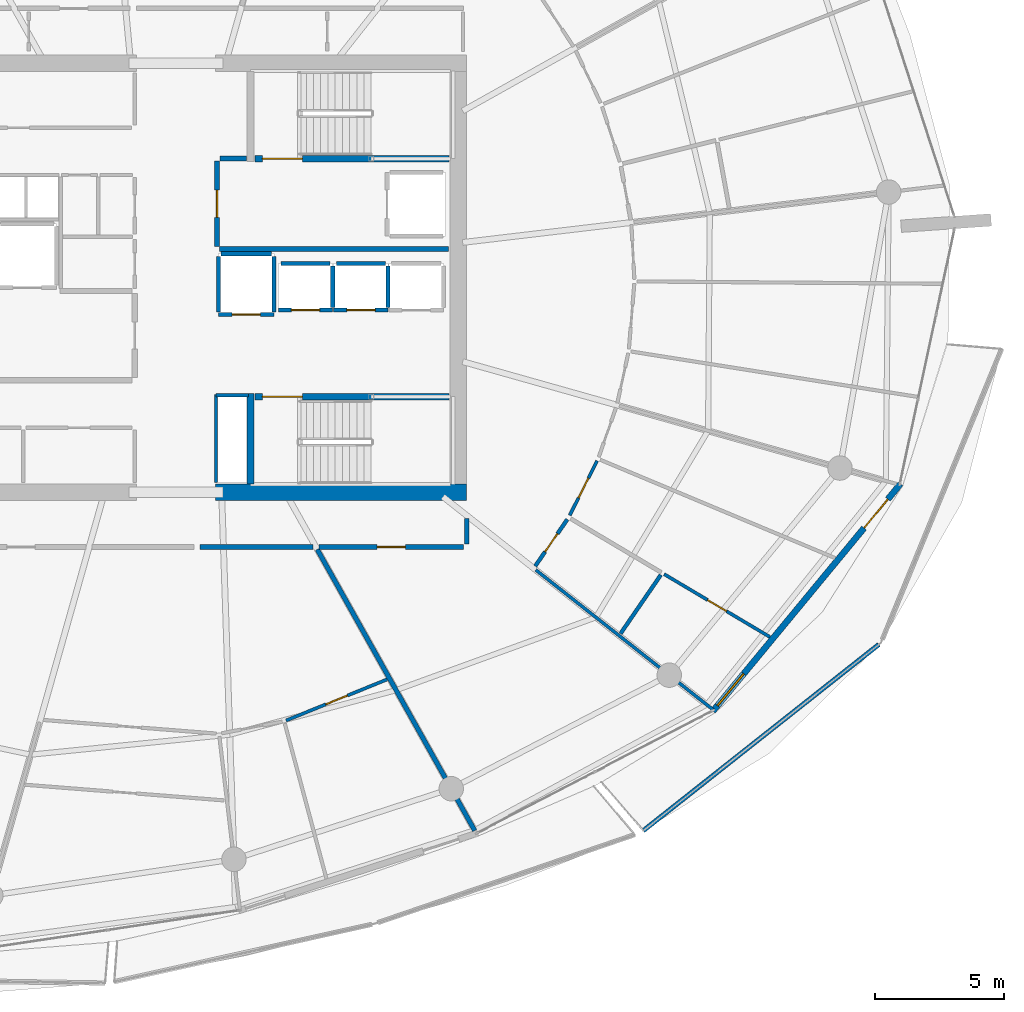
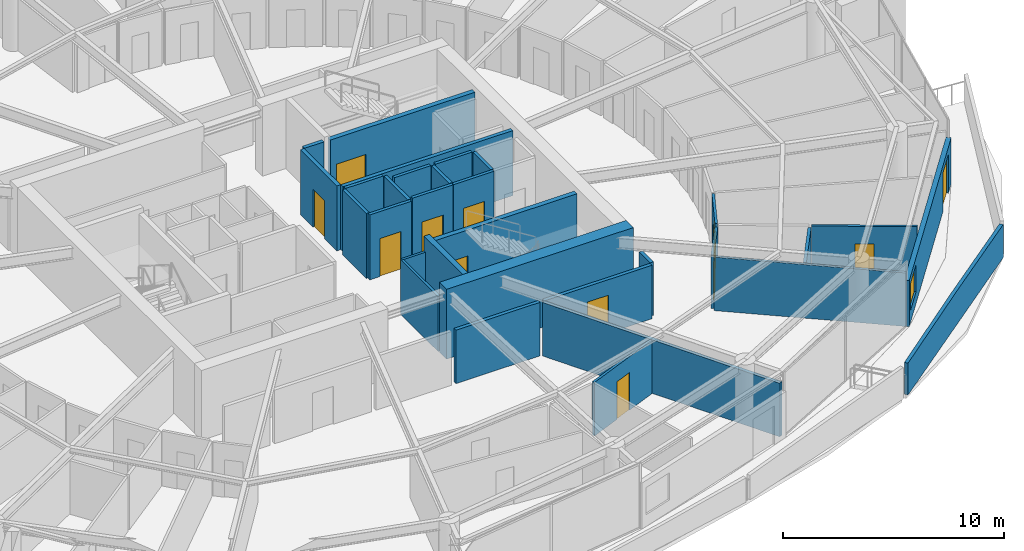
# One storey, part 19 of 29: 31 walls, 12 doors, 1 window, 13 openings.
"""IFC4 building model written with IfcOpenShell, lengths in metres."""

from ifc_helpers import new_model, si_unit, direction, frame, frame_2d, origin, place, context, subcontext, project, spatial, polyline, rectangle, outline, extrude, material, layer, layer_set, type_object, element, fill, save


model = new_model("IFC4")

# Units and contexts
model_context = context("Model", 3, precision=1e-05, world=origin(), true_north=direction((0.0, 1.0)))
body_context = subcontext(model_context, "Body", "Model", "MODEL_VIEW")
ifc_project = project(units=[si_unit("LENGTHUNIT", "METRE"), si_unit("AREAUNIT", "SQUARE_METRE"), si_unit("VOLUMEUNIT", "CUBIC_METRE"), si_unit("PLANEANGLEUNIT", "RADIAN"), si_unit("MASSUNIT", "GRAM", prefix="KILO")], contexts=[model_context])

# Site, building, storey
site_placement = place(None, origin())
site = spatial("IfcSite", under=ifc_project, at=site_placement, CompositionType="ELEMENT")
building_placement = place(site_placement, origin())
building = spatial("IfcBuilding", under=site, at=building_placement, Name="Kazma Halo Residences", CompositionType="ELEMENT")
storey_placement = place(building_placement, frame((0.0, 0.0, 252.10009765625)))
storey = spatial("IfcBuildingStorey", under=building, at=storey_placement, Name="L63", CompositionType="ELEMENT", Elevation=252.10009765625)

# Walls
ifc_material_1 = material(Name="White Concrete C50/60 Balustrade", Category="concrete")
ifc_layer_1 = layer(ifc_material_1, 0.179931640625)
ifc_layer_set_1 = layer_set([ifc_layer_1], Name="White Concrete C50/60 Balustrade")
wall_type_1 = type_object("IfcWallType", Name="WL-BAL-WAVE-180", PredefinedType="PARAPET", material=ifc_layer_set_1)
wall_1_placement = place(storey_placement, frame((66.55712890625, 20.5390625, 0.0), z_axis=(0.0, 0.0, 1.0), x_axis=(0.784536716277, 0.620082366153, 0.0)))
element("IfcWall", 1, at=wall_1_placement, inside=storey, type_object=wall_type_1, Name="L63 white wave balustrade wall SE.1", PredefinedType="PARAPET", context=body_context, shape_type="SweptSolid", body=[
    extrude(outline(polyline([(0.0, 0.0), (11.65234375, 0.0), (11.652099609375, 1.831787109375), (5.826171875, 1.852783203125), (0.0, 1.755859375), (0.0, 0.0)])), frame((0.0, 0.08984375, 0.0), z_axis=(0.0, -1.0, 0.0), x_axis=(1.0, 0.0, 0.0)), (0.0, 0.0, 1.0), 0.179931640625),
])
ifc_material_2 = material(Name="Concrete C60/75", Category="concrete")
ifc_layer_2 = layer(ifc_material_2, 0.64990234375)
ifc_layer_set_2 = layer_set([ifc_layer_2], Name="Concrete C60/75")
wall_type_2 = type_object("IfcWallType", Name="WL-CORE-650", PredefinedType="SHEAR", material=ifc_layer_set_2)
wall_2_placement = place(storey_placement, frame((49.949951171875, 33.675048828125, 0.0), z_axis=(0.0, 0.0, 1.0), x_axis=(1.0, 0.0, 0.0)))
element("IfcWall", 2, at=wall_2_placement, inside=storey, type_object=wall_type_2, Name="L63 central core shear wall SE", PredefinedType="SHEAR", context=body_context, shape_type="SweptSolid", body=[
    extrude(rectangle(XDim=9.75, YDim=0.64990234375, at=frame_2d((4.875, 0.0))), origin(), (0.0, 0.0, 1.0), 3.849853515625),
])
ifc_layer_3 = layer(ifc_material_2, 0.280029296875)
ifc_layer_set_3 = layer_set([ifc_layer_3], Name="Concrete C60/75")
wall_type_3 = type_object("IfcWallType", Name="WL-CORE-ST-280", PredefinedType="SHEAR", material=ifc_layer_set_3)
wall_3_placement = place(storey_placement, frame((51.31005859375, 34.0, 0.0), z_axis=(0.0, 0.0, 1.0), x_axis=(0.0, 1.0, 0.0)))
element("IfcWall", 3, at=wall_3_placement, inside=storey, type_object=wall_type_3, Name="L63 stairwell bearing wall ST03-W", PredefinedType="SHEAR", context=body_context, shape_type="SweptSolid", body=[
    extrude(rectangle(XDim=3.5, YDim=0.280029296875, at=frame_2d((1.75, 0.0))), origin(), (0.0, 0.0, 1.0), 3.849853515625),
])
ifc_material_3 = material(Name="Acoustic Twin-Stud Gypsum")
ifc_layer_4 = layer(ifc_material_3, 0.179931640625)
ifc_layer_set_4 = layer_set([ifc_layer_4], Name="Acoustic Twin-Stud Gypsum")
wall_type_4 = type_object("IfcWallType", Name="WL-DEM-180", PredefinedType="PARTITIONING", material=ifc_layer_set_4)
wall_4_placement = place(storey_placement, frame((53.906005859375, 31.4541015625, 0.0), z_axis=(0.0, 0.0, 1.0), x_axis=(0.48862654941, -0.872493034477, 0.0)))
element("IfcWall", 4, at=wall_4_placement, inside=storey, type_object=wall_type_4, Name="L63 apartment demising radial wall 12", PredefinedType="PARTITIONING", context=body_context, shape_type="SweptSolid", body=[
    extrude(rectangle(XDim=12.507568359375, YDim=0.179931640625, at=frame_2d((6.25390625, 0.0))), origin(), (0.0, 0.0, 1.0), 2.956787109375),
])
wall_5_placement = place(storey_placement, frame((49.356689453125, 31.550048828125, 0.0), z_axis=(0.0, 0.0, 1.0), x_axis=(1.0, 0.0, 0.0)))
element("IfcWall", 5, at=wall_5_placement, inside=storey, type_object=wall_type_4, Name="L63 Apartment 2 inner wall 11", PredefinedType="PARTITIONING", context=body_context, shape_type="SweptSolid", body=[
    extrude(rectangle(XDim=4.375732421875, YDim=0.179931640625, at=frame_2d((2.18798828125, 0.0))), origin(), (0.0, 0.0, 1.0), 2.956787109375),
])

# Wall, opening, door
wall_6_placement = place(storey_placement, frame((53.972412109375, 31.550048828125, 0.0), z_axis=(0.0, 0.0, 1.0), x_axis=(1.0, 0.0, 0.0)))
wall_6 = element("IfcWall", 6, at=wall_6_placement, inside=storey, type_object=wall_type_4, Name="L63 Apartment 3 entrance corridor wall", PredefinedType="PARTITIONING", context=body_context, shape_type="SweptSolid", body=[
    extrude(rectangle(XDim=5.607666015625, YDim=0.179931640625, at=frame_2d((2.8037109375, 0.0))), origin(), (0.0, 0.0, 1.0), 2.956787109375),
])
opening_1_placement = place(wall_6_placement, frame((2.25390625, 0.0, 0.0)))
opening_1 = element("IfcOpeningElement", 7, at=opening_1_placement, cuts=wall_6, Name="Opening DA-1100", PredefinedType="OPENING", context=body_context, shape_type="SweptSolid", body=[
    extrude(rectangle(XDim=1.10009765625, YDim=2.10009765625, at=frame_2d((0.550048828125, 1.050048828125))), frame((0.0, 0.099853515625, 0.0), z_axis=(0.0, -1.0, 0.0), x_axis=(1.0, 0.0, 0.0)), (0.0, 0.0, 1.0), 0.199951171875),
])
ifc_material_4 = material(Name="Acoustic Walnut Fire Leaf")
door_type_1 = type_object("IfcDoorType", Name="DR-FD60-1100", OperationType="NOTDEFINED", PredefinedType="DOOR", material=ifc_material_4)
door_1_placement = place(opening_1_placement, origin())
door_1 = element("IfcDoor", 8, at=door_1_placement, inside=storey, type_object=door_type_1, Name="L63 Apartment 3 entrance fire door", OperationType="SINGLE_SWING_LEFT", OverallHeight=2.10009765625, OverallWidth=1.10009765625, PredefinedType="DOOR", context=body_context, shape_type="SweptSolid", body=[
    extrude(rectangle(XDim=1.10009765625, YDim=2.10009765625, at=frame_2d((0.550048828125, 1.050048828125))), frame((0.0, 0.02490234375, 0.0), z_axis=(0.0, -1.0, 0.0), x_axis=(1.0, 0.0, 0.0)), (0.0, 0.0, 1.0), 0.050048828125),
])
fill(opening_1, door_1)

# Wall
wall_7_placement = place(storey_placement, frame((59.699951171875, 31.669921875, 0.0), z_axis=(0.0, 0.0, 1.0), x_axis=(0.0, 1.0, 0.0)))
element("IfcWall", 9, at=wall_7_placement, inside=storey, type_object=wall_type_4, Name="L63 Apartment 3 entrance corridor wall", PredefinedType="PARTITIONING", context=body_context, shape_type="SweptSolid", body=[
    extrude(rectangle(XDim=0.986572265625, YDim=0.179931640625, at=frame_2d((0.4931640625, 0.0))), origin(), (0.0, 0.0, 1.0), 2.956787109375),
])

# Wall, openings, door, window
ifc_material_5 = material(Name="Insulated Pale-Metal Composite Wall")
ifc_layer_5 = layer(ifc_material_5, 0.239990234375)
ifc_layer_set_5 = layer_set([ifc_layer_5], Name="Insulated Pale-Metal Composite Wall")
wall_type_5 = type_object("IfcWallType", Name="WL-EXT-HOST-240", PredefinedType="SOLIDWALL", material=ifc_layer_set_5)
wall_8_placement = place(storey_placement, frame((69.2578125, 25.177978515625, 0.0), z_axis=(0.0, 0.0, 1.0), x_axis=(0.636680093065, 0.771128043255, 0.0)))
wall_8 = element("IfcWall", 10, at=wall_8_placement, inside=storey, type_object=wall_type_5, Name="L63 exterior terrace-access wall B14", PredefinedType="SOLIDWALL", context=body_context, shape_type="SweptSolid", body=[
    extrude(rectangle(XDim=11.438232421875, YDim=0.239990234375, at=frame_2d((5.71923828125, 0.0))), origin(), (0.0, 0.0, 1.0), 2.539794921875),
])
opening_2_placement = place(wall_8_placement, frame((9.21826171875, 0.0, 0.0)))
opening_2 = element("IfcOpeningElement", 11, at=opening_2_placement, cuts=wall_8, Name="Opening DTR-1600", PredefinedType="OPENING", context=body_context, shape_type="SweptSolid", body=[
    extrude(rectangle(XDim=1.449951171875, YDim=2.14990234375, at=frame_2d((0.72509765625, 1.074951171875))), frame((0.0, 0.1298828125, 0.0), z_axis=(0.0, -1.0, 0.0), x_axis=(1.0, 0.0, 0.0)), (0.0, 0.0, 1.0), 0.260009765625),
])
opening_3_placement = place(wall_8_placement, frame((0.280029296875, 0.0, 0.64990234375)))
opening_3 = element("IfcOpeningElement", 12, at=opening_3_placement, cuts=wall_8, Name="Opening W-1800", PredefinedType="OPENING", context=body_context, shape_type="SweptSolid", body=[
    extrude(rectangle(XDim=1.60009765625, YDim=1.5, at=frame_2d((0.800048828125, 0.75))), frame((0.0, 0.1298828125, 0.0), z_axis=(0.0, -1.0, 0.0), x_axis=(1.0, 0.0, 0.0)), (0.0, 0.0, 1.0), 0.260009765625),
])
ifc_material_6 = material(Name="Aluminium AW-6063 T6 Double-Glazed Terrace Door", Category="aluminium")
door_type_2 = type_object("IfcDoorType", Name="DR-EXT-TERR-1600", OperationType="NOTDEFINED", PredefinedType="DOOR", material=ifc_material_6)
door_2_placement = place(opening_2_placement, origin())
door_2 = element("IfcDoor", 13, at=door_2_placement, inside=storey, type_object=door_type_2, Name="L63 B14 balcony terrace door", OperationType="DOUBLE_DOOR_SLIDING", OverallHeight=2.14990234375, OverallWidth=1.449951171875, PredefinedType="DOOR", context=body_context, shape_type="SweptSolid", body=[
    extrude(rectangle(XDim=1.449951171875, YDim=2.14990234375, at=frame_2d((0.72509765625, 1.074951171875))), frame((0.0, 0.02490234375, 0.0), z_axis=(0.0, -1.0, 0.0), x_axis=(1.0, 0.0, 0.0)), (0.0, 0.0, 1.0), 0.050048828125),
])
fill(opening_2, door_2)
ifc_material_7 = material(Name="Clear Triple-Silver Low-E Glass in Aluminium AW-6063 T6 Frame", Category="aluminium")
window_type = type_object("IfcWindowType", Name="WIN-RES-1800", PartitioningType="DOUBLE_PANEL_VERTICAL", PredefinedType="WINDOW", material=ifc_material_7)
window_placement = place(opening_3_placement, origin())
window = element("IfcWindow", 14, at=window_placement, inside=storey, type_object=window_type, Name="L63 B14 apartment window", OverallHeight=1.5, OverallWidth=1.60009765625, PartitioningType="SINGLE_PANEL", PredefinedType="WINDOW", context=body_context, shape_type="SweptSolid", body=[
    extrude(rectangle(XDim=1.60009765625, YDim=1.5, at=frame_2d((0.800048828125, 0.75))), frame((0.0, 0.030029296875, 0.0), z_axis=(0.0, -1.0, 0.0), x_axis=(1.0, 0.0, 0.0)), (0.0, 0.0, 1.0), 0.06005859375),
])
fill(opening_3, window)

# Wall, opening, door
ifc_material_8 = material(Name="Fire-Rated Blockwork Masonry", Category="masonry")
ifc_layer_6 = layer(ifc_material_8, 0.199951171875)
ifc_layer_set_6 = layer_set([ifc_layer_6], Name="Fire-Rated Blockwork Masonry")
wall_type_6 = type_object("IfcWallType", Name="WL-FLB-200", PredefinedType="PARTITIONING", material=ifc_layer_set_6)
wall_9_placement = place(storey_placement, frame((54.5048828125, 40.7451171875, 0.0), z_axis=(0.0, 0.0, 1.0), x_axis=(-1.0, 0.0, 0.0)))
wall_9 = element("IfcWall", 15, at=wall_9_placement, inside=storey, type_object=wall_type_6, Name="L63 lift shaft PH-01 front wall", PredefinedType="PARTITIONING", context=body_context, shape_type="SweptSolid", body=[
    extrude(rectangle(XDim=2.10986328125, YDim=0.159912109375, at=frame_2d((1.054931640625, 0.0))), origin(), (0.0, 0.0, 1.0), 3.58984375),
])
opening_4_placement = place(wall_9_placement, frame((0.5048828125, 0.0, 0.0)))
opening_4 = element("IfcOpeningElement", 16, at=opening_4_placement, cuts=wall_9, Name="Opening LD-PH-01", PredefinedType="OPENING", context=body_context, shape_type="SweptSolid", body=[
    extrude(rectangle(XDim=1.10009765625, YDim=2.10009765625, at=frame_2d((0.550048828125, 1.050048828125))), frame((0.0, 0.08984375, 0.0), z_axis=(0.0, -1.0, 0.0), x_axis=(1.0, 0.0, 0.0)), (0.0, 0.0, 1.0), 0.179931640625),
])
ifc_material_9 = material(Name="Stainless Steel Fire-Rated", Category="steel")
door_type_3 = type_object("IfcDoorType", Name="DR-LIFT-SLD-1100", OperationType="DOUBLE_DOOR_SLIDING", PredefinedType="DOOR", material=ifc_material_9)
door_3_placement = place(opening_4_placement, origin())
door_3 = element("IfcDoor", 17, at=door_3_placement, inside=storey, type_object=door_type_3, Name="L63 lift PH-01 sliding landing door", OperationType="DOUBLE_DOOR_SLIDING", OverallHeight=2.10009765625, OverallWidth=1.10009765625, PredefinedType="DOOR", context=body_context, shape_type="SweptSolid", body=[
    extrude(rectangle(XDim=1.10009765625, YDim=2.10009765625, at=frame_2d((0.550048828125, 1.050048828125))), frame((0.0, 0.02490234375, 0.0), z_axis=(0.0, -1.0, 0.0), x_axis=(1.0, 0.0, 0.0)), (0.0, 0.0, 1.0), 0.050048828125),
])
fill(opening_4, door_3)

# Walls
wall_10_placement = place(storey_placement, frame((54.5048828125, 40.844970703125, 0.0), z_axis=(0.0, 0.0, 1.0), x_axis=(0.0, 1.0, 0.0)))
element("IfcWall", 18, at=wall_10_placement, inside=storey, type_object=wall_type_6, Name="L63 lift shaft PH-01 side wall E", PredefinedType="PARTITIONING", context=body_context, shape_type="SweptSolid", body=[
    extrude(rectangle(XDim=1.610107421875, YDim=0.159912109375, at=frame_2d((0.80517578125, 0.0))), origin(), (0.0, 0.0, 1.0), 3.58984375),
])
wall_11_placement = place(storey_placement, frame((52.4951171875, 42.554931640625, 0.0), z_axis=(0.0, 0.0, 1.0), x_axis=(1.0, 0.0, 0.0)))
element("IfcWall", 19, at=wall_11_placement, inside=storey, type_object=wall_type_6, Name="L63 lift shaft PH-01 side wall N", PredefinedType="PARTITIONING", context=body_context, shape_type="SweptSolid", body=[
    extrude(rectangle(XDim=1.909912109375, YDim=0.159912109375, at=frame_2d((0.955078125, 0.0))), origin(), (0.0, 0.0, 1.0), 3.58984375),
])

# Wall, opening, door
wall_12_placement = place(storey_placement, frame((56.655029296875, 40.7451171875, 0.0), z_axis=(0.0, 0.0, 1.0), x_axis=(-1.0, 0.0, 0.0)))
wall_12 = element("IfcWall", 20, at=wall_12_placement, inside=storey, type_object=wall_type_6, Name="L63 lift shaft PH-02 front wall", PredefinedType="PARTITIONING", context=body_context, shape_type="SweptSolid", body=[
    extrude(rectangle(XDim=2.110107421875, YDim=0.159912109375, at=frame_2d((1.05517578125, 0.0))), origin(), (0.0, 0.0, 1.0), 3.58984375),
])
opening_5_placement = place(wall_12_placement, frame((0.5048828125, 0.0, 0.0)))
opening_5 = element("IfcOpeningElement", 21, at=opening_5_placement, cuts=wall_12, Name="Opening LD-PH-02", PredefinedType="OPENING", context=body_context, shape_type="SweptSolid", body=[
    extrude(rectangle(XDim=1.10009765625, YDim=2.10009765625, at=frame_2d((0.550048828125, 1.050048828125))), frame((0.0, 0.08984375, 0.0), z_axis=(0.0, -1.0, 0.0), x_axis=(1.0, 0.0, 0.0)), (0.0, 0.0, 1.0), 0.179931640625),
])
door_4_placement = place(opening_5_placement, origin())
door_4 = element("IfcDoor", 22, at=door_4_placement, inside=storey, type_object=door_type_3, Name="L63 lift PH-02 sliding landing door", OperationType="DOUBLE_DOOR_SLIDING", OverallHeight=2.10009765625, OverallWidth=1.10009765625, PredefinedType="DOOR", context=body_context, shape_type="SweptSolid", body=[
    extrude(rectangle(XDim=1.10009765625, YDim=2.10009765625, at=frame_2d((0.550048828125, 1.050048828125))), frame((0.0, 0.02490234375, 0.0), z_axis=(0.0, -1.0, 0.0), x_axis=(1.0, 0.0, 0.0)), (0.0, 0.0, 1.0), 0.050048828125),
])
fill(opening_5, door_4)

# Walls
wall_13_placement = place(storey_placement, frame((56.655029296875, 40.844970703125, 0.0), z_axis=(0.0, 0.0, 1.0), x_axis=(0.0, 1.0, 0.0)))
element("IfcWall", 23, at=wall_13_placement, inside=storey, type_object=wall_type_6, Name="L63 lift shaft PH-02 side wall E", PredefinedType="PARTITIONING", context=body_context, shape_type="SweptSolid", body=[
    extrude(rectangle(XDim=1.610107421875, YDim=0.159912109375, at=frame_2d((0.80517578125, 0.0))), origin(), (0.0, 0.0, 1.0), 3.58984375),
])
wall_14_placement = place(storey_placement, frame((54.64501953125, 42.554931640625, 0.0), z_axis=(0.0, 0.0, 1.0), x_axis=(1.0, 0.0, 0.0)))
element("IfcWall", 24, at=wall_14_placement, inside=storey, type_object=wall_type_6, Name="L63 lift shaft PH-02 side wall N", PredefinedType="PARTITIONING", context=body_context, shape_type="SweptSolid", body=[
    extrude(rectangle(XDim=1.909912109375, YDim=0.159912109375, at=frame_2d((0.955078125, 0.0))), origin(), (0.0, 0.0, 1.0), 3.58984375),
])

# Wall, opening, door
wall_15_placement = place(storey_placement, frame((52.22998046875, 40.570068359375, 0.0), z_axis=(0.0, 0.0, 1.0), x_axis=(-1.0, 0.0, 0.0)))
wall_15 = element("IfcWall", 25, at=wall_15_placement, inside=storey, type_object=wall_type_6, Name="L63 lift shaft SV-01 front wall", PredefinedType="PARTITIONING", context=body_context, shape_type="SweptSolid", body=[
    extrude(rectangle(XDim=2.159912109375, YDim=0.159912109375, at=frame_2d((1.080078125, 0.0))), origin(), (0.0, 0.0, 1.0), 3.58984375),
])
opening_6_placement = place(wall_15_placement, frame((0.530029296875, 0.0, 0.0)))
opening_6 = element("IfcOpeningElement", 26, at=opening_6_placement, cuts=wall_15, Name="Opening LD-SV-01", PredefinedType="OPENING", context=body_context, shape_type="SweptSolid", body=[
    extrude(rectangle(XDim=1.10009765625, YDim=2.10009765625, at=frame_2d((0.550048828125, 1.050048828125))), frame((0.0, 0.08984375, 0.0), z_axis=(0.0, -1.0, 0.0), x_axis=(1.0, 0.0, 0.0)), (0.0, 0.0, 1.0), 0.179931640625),
])
door_5_placement = place(opening_6_placement, origin())
door_5 = element("IfcDoor", 27, at=door_5_placement, inside=storey, type_object=door_type_3, Name="L63 lift SV-01 sliding landing door", OperationType="DOUBLE_DOOR_SLIDING", OverallHeight=2.10009765625, OverallWidth=1.10009765625, PredefinedType="DOOR", context=body_context, shape_type="SweptSolid", body=[
    extrude(rectangle(XDim=1.10009765625, YDim=2.10009765625, at=frame_2d((0.550048828125, 1.050048828125))), frame((0.0, 0.02490234375, 0.0), z_axis=(0.0, -1.0, 0.0), x_axis=(1.0, 0.0, 0.0)), (0.0, 0.0, 1.0), 0.050048828125),
])
fill(opening_6, door_5)

# Walls
for number, where, z_axis, x_axis, name in (
    (28, (52.22998046875, 40.669921875, 0.0), (0.0, 0.0, 1.0), (0.0, 1.0, 0.0), "L63 lift shaft SV-01 side wall E"),
    (29, (50.070068359375, 40.669921875, 0.0), (0.0, 0.0, 1.0), (0.0, 1.0, 0.0), "L63 lift shaft SV-01 side wall W"),
):
    element("IfcWall", number, at=place(storey_placement, frame(where, z_axis=z_axis, x_axis=x_axis)), inside=storey, type_object=wall_type_6, Name=name, PredefinedType="PARTITIONING", context=body_context, shape_type="SweptSolid", body=[
        extrude(rectangle(XDim=2.16015625, YDim=0.159912109375, at=frame_2d((1.080078125, 0.0))), origin(), (0.0, 0.0, 1.0), 3.58984375),
    ])
wall_16_placement = place(storey_placement, frame((50.169921875, 42.929931640625, 0.0), z_axis=(0.0, 0.0, 1.0), x_axis=(1.0, 0.0, 0.0)))
element("IfcWall", 30, at=wall_16_placement, inside=storey, type_object=wall_type_6, Name="L63 lift shaft SV-01 side wall N", PredefinedType="PARTITIONING", context=body_context, shape_type="SweptSolid", body=[
    extrude(rectangle(XDim=1.9599609375, YDim=0.159912109375, at=frame_2d((0.97998046875, 0.0))), origin(), (0.0, 0.0, 1.0), 3.58984375),
])
wall_17_placement = place(storey_placement, frame((50.1201171875, 43.1201171875, 0.0), z_axis=(0.0, 0.0, 1.0), x_axis=(1.0, 0.0, 0.0)))
element("IfcWall", 31, at=wall_17_placement, inside=storey, type_object=wall_type_6, Name="L63 east firefighting lobby south smoke wall", PredefinedType="PARTITIONING", context=body_context, shape_type="SweptSolid", body=[
    extrude(rectangle(XDim=8.8798828125, YDim=0.199951171875, at=frame_2d((4.43994140625, 0.0))), origin(), (0.0, 0.0, 1.0), 3.58984375),
])
wall_18_placement = place(storey_placement, frame((50.139892578125, 46.6201171875, 0.0), z_axis=(0.0, 0.0, 1.0), x_axis=(1.0, 0.0, 0.0)))
element("IfcWall", 32, at=wall_18_placement, inside=storey, type_object=wall_type_6, Name="L63 east firefighting lobby north closure wall", PredefinedType="PARTITIONING", context=body_context, shape_type="SweptSolid", body=[
    extrude(rectangle(XDim=1.02001953125, YDim=0.199951171875, at=frame_2d((0.510009765625, 0.0))), origin(), (0.0, 0.0, 1.0), 3.58984375),
])

# Wall, opening, door
wall_19_placement = place(storey_placement, frame((50.02001953125, 43.219970703125, 0.0), z_axis=(0.0, 0.0, 1.0), x_axis=(0.0, 1.0, 0.0)))
wall_19 = element("IfcWall", 33, at=wall_19_placement, inside=storey, type_object=wall_type_6, Name="L63 east firefighting lobby smoke wall", PredefinedType="PARTITIONING", context=body_context, shape_type="SweptSolid", body=[
    extrude(rectangle(XDim=3.300048828125, YDim=0.199951171875, at=frame_2d((1.64990234375, 0.0))), origin(), (0.0, 0.0, 1.0), 3.58984375),
])
opening_7_placement = place(wall_19_placement, frame((1.125, 0.0, 0.0)))
opening_7 = element("IfcOpeningElement", 34, at=opening_7_placement, cuts=wall_19, Name="Opening D-FLE", PredefinedType="OPENING", context=body_context, shape_type="SweptSolid", body=[
    extrude(rectangle(XDim=1.050048828125, YDim=2.10009765625, at=frame_2d((0.52490234375, 1.050048828125))), frame((0.0, 0.10986328125, 0.0), z_axis=(0.0, -1.0, 0.0), x_axis=(1.0, 0.0, 0.0)), (0.0, 0.0, 1.0), 0.219970703125),
])
ifc_material_10 = material(Name="Fire-Rated Steel Leaf", Category="steel")
door_type_4 = type_object("IfcDoorType", Name="DR-FD90-1050", OperationType="NOTDEFINED", PredefinedType="DOOR", material=ifc_material_10)
door_6_placement = place(opening_7_placement, origin())
door_6 = element("IfcDoor", 35, at=door_6_placement, inside=storey, type_object=door_type_4, Name="L63 east firefighting lobby smoke door", OperationType="SINGLE_SWING_LEFT", OverallHeight=2.10009765625, OverallWidth=1.050048828125, PredefinedType="DOOR", context=body_context, shape_type="SweptSolid", body=[
    extrude(rectangle(XDim=1.050048828125, YDim=2.10009765625, at=frame_2d((0.52490234375, 1.050048828125))), frame((0.0, 0.02490234375, 0.0), z_axis=(0.0, -1.0, 0.0), x_axis=(1.0, 0.0, 0.0)), (0.0, 0.0, 1.0), 0.050048828125),
])
fill(opening_7, door_6)

# Walls
ifc_material_11 = material(Name="Gypsum Plasterboard Partition")
ifc_layer_7 = layer(ifc_material_11, 0.125)
ifc_layer_set_7 = layer_set([ifc_layer_7], Name="Gypsum Plasterboard Partition")
wall_type_7 = type_object("IfcWallType", Name="WL-PART-125", PredefinedType="PARTITIONING", material=ifc_layer_set_7)
wall_20_placement = place(storey_placement, frame((49.97998046875, 34.06005859375, 0.0), z_axis=(0.0, 0.0, 1.0), x_axis=(0.0, 1.0, 0.0)))
element("IfcWall", 36, at=wall_20_placement, inside=storey, type_object=wall_type_7, Name="L63 standpipe riser wall", PredefinedType="PARTITIONING", context=body_context, shape_type="SweptSolid", body=[
    extrude(rectangle(XDim=3.39990234375, YDim=0.125, at=frame_2d((1.699951171875, 0.0))), origin(), (0.0, 0.0, 1.0), 3.02978515625),
])
wall_21_placement = place(storey_placement, frame((49.97998046875, 37.43994140625, 0.0), z_axis=(0.0, 0.0, 1.0), x_axis=(1.0, 0.0, 0.0)))
element("IfcWall", 37, at=wall_21_placement, inside=storey, type_object=wall_type_7, Name="L63 standpipe riser north wall", PredefinedType="PARTITIONING", context=body_context, shape_type="SweptSolid", body=[
    extrude(rectangle(XDim=1.260009765625, YDim=0.125, at=frame_2d((0.6298828125, 0.0))), origin(), (0.0, 0.0, 1.0), 3.02978515625),
])

# Wall, opening, door
wall_22_placement = place(storey_placement, frame((52.6962890625, 24.81591796875, 0.0), z_axis=(0.0, 0.0, 1.0), x_axis=(0.926276631798, 0.376844266754, 0.0)))
wall_22 = element("IfcWall", 38, at=wall_22_placement, inside=storey, type_object=wall_type_7, Name="L63 Apartment 2 South Formal Dining Room hall wall", PredefinedType="PARTITIONING", context=body_context, shape_type="SweptSolid", body=[
    extrude(rectangle(XDim=4.232421875, YDim=0.125, at=frame_2d((2.1162109375, 0.0))), origin(), (0.0, 0.0, 1.0), 2.956787109375),
])
opening_8_placement = place(wall_22_placement, frame((1.666259765625, 0.0, 0.0)))
opening_8 = element("IfcOpeningElement", 39, at=opening_8_placement, cuts=wall_22, Name="Opening DI-950", PredefinedType="OPENING", context=body_context, shape_type="SweptSolid", body=[
    extrude(rectangle(XDim=0.89990234375, YDim=2.080078125, at=frame_2d((0.449951171875, 1.0400390625))), frame((0.0, 0.072509765625, 0.0), z_axis=(0.0, -1.0, 0.0), x_axis=(1.0, 0.0, 0.0)), (0.0, 0.0, 1.0), 0.14501953125),
])
ifc_material_12 = material(Name="Timber Veneer Flush Leaf", Category="wood")
door_type_5 = type_object("IfcDoorType", Name="DR-INT-950", OperationType="NOTDEFINED", PredefinedType="DOOR", material=ifc_material_12)
door_7_placement = place(opening_8_placement, origin())
door_7 = element("IfcDoor", 40, at=door_7_placement, inside=storey, type_object=door_type_5, Name="L63 Apartment 2 South Formal Dining Room door", OperationType="SINGLE_SWING_RIGHT", OverallHeight=2.080078125, OverallWidth=0.89990234375, PredefinedType="DOOR", context=body_context, shape_type="SweptSolid", body=[
    extrude(rectangle(XDim=0.89990234375, YDim=2.080078125, at=frame_2d((0.449951171875, 1.0400390625))), frame((0.0, 0.02490234375, 0.0), z_axis=(0.0, -1.0, 0.0), x_axis=(1.0, 0.0, 0.0)), (0.0, 0.0, 1.0), 0.050048828125),
])
fill(opening_8, door_7)

# Wall
wall_23_placement = place(storey_placement, frame((62.384521484375, 30.66015625, 0.0), z_axis=(0.0, 0.0, 1.0), x_axis=(0.785323056309, -0.619086179162, 0.0)))
element("IfcWall", 41, at=wall_23_placement, inside=storey, type_object=wall_type_7, Name="L63 Apartment 3 radial partition 13", PredefinedType="PARTITIONING", context=body_context, shape_type="SweptSolid", body=[
    extrude(rectangle(XDim=8.767822265625, YDim=0.125, at=frame_2d((4.3837890625, 0.0))), origin(), (0.0, 0.0, 1.0), 2.956787109375),
])

# Wall, opening, door
wall_24_placement = place(storey_placement, frame((67.367431640625, 30.49462890625, 0.0), z_axis=(0.0, 0.0, 1.0), x_axis=(0.859757948581, -0.510701742557, 0.0)))
wall_24 = element("IfcWall", 42, at=wall_24_placement, inside=storey, type_object=wall_type_7, Name="L63 Apartment 3 Utility Laundry Room partition wall", PredefinedType="PARTITIONING", context=body_context, shape_type="SweptSolid", body=[
    extrude(rectangle(XDim=4.775634765625, YDim=0.125, at=frame_2d((2.3876953125, 0.0))), origin(), (0.0, 0.0, 1.0), 3.02978515625),
])
opening_9_placement = place(wall_24_placement, frame((1.962890625, 0.0, 0.0)))
opening_9 = element("IfcOpeningElement", 43, at=opening_9_placement, cuts=wall_24, Name="Opening DB-900", PredefinedType="OPENING", context=body_context, shape_type="SweptSolid", body=[
    extrude(rectangle(XDim=0.85009765625, YDim=2.06005859375, at=frame_2d((0.425048828125, 1.030029296875))), frame((0.0, 0.072509765625, 0.0), z_axis=(0.0, -1.0, 0.0), x_axis=(1.0, 0.0, 0.0)), (0.0, 0.0, 1.0), 0.14501953125),
])
ifc_material_13 = material(Name="Moisture-Sealed Timber Leaf", Category="wood")
door_type_6 = type_object("IfcDoorType", Name="DR-BTH-900", OperationType="NOTDEFINED", PredefinedType="DOOR", material=ifc_material_13)
door_8_placement = place(opening_9_placement, origin())
door_8 = element("IfcDoor", 44, at=door_8_placement, inside=storey, type_object=door_type_6, Name="L63 Apartment 3 Utility Laundry Room door", OperationType="SINGLE_SWING_RIGHT", OverallHeight=2.06005859375, OverallWidth=0.85009765625, PredefinedType="DOOR", context=body_context, shape_type="SweptSolid", body=[
    extrude(rectangle(XDim=0.85009765625, YDim=2.06005859375, at=frame_2d((0.425048828125, 1.030029296875))), frame((0.0, 0.02490234375, 0.0), z_axis=(0.0, -1.0, 0.0), x_axis=(1.0, 0.0, 0.0)), (0.0, 0.0, 1.0), 0.050048828125),
])
fill(opening_9, door_8)

wall_25_placement = place(storey_placement, frame((63.702392578125, 32.7763671875, 0.0), z_axis=(0.0, 0.0, 1.0), x_axis=(0.449393387547, 0.893333970712, 0.0)))
wall_25 = element("IfcWall", 45, at=wall_25_placement, inside=storey, type_object=wall_type_7, Name="L63 Apartment 3 Gourmet Kitchen hall wall", PredefinedType="PARTITIONING", context=body_context, shape_type="SweptSolid", body=[
    extrude(rectangle(XDim=2.373046875, YDim=0.125, at=frame_2d((1.1865234375, 0.0))), origin(), (0.0, 0.0, 1.0), 3.02978515625),
])
opening_10_placement = place(wall_25_placement, frame((0.761474609375, 0.0, 0.0)))
opening_10 = element("IfcOpeningElement", 46, at=opening_10_placement, cuts=wall_25, Name="Opening DB-900", PredefinedType="OPENING", context=body_context, shape_type="SweptSolid", body=[
    extrude(rectangle(XDim=0.85009765625, YDim=2.06005859375, at=frame_2d((0.425048828125, 1.030029296875))), frame((0.0, 0.072509765625, 0.0), z_axis=(0.0, -1.0, 0.0), x_axis=(1.0, 0.0, 0.0)), (0.0, 0.0, 1.0), 0.14501953125),
])
door_9_placement = place(opening_10_placement, origin())
door_9 = element("IfcDoor", 47, at=door_9_placement, inside=storey, type_object=door_type_6, Name="L63 Apartment 3 Gourmet Kitchen door", OperationType="SINGLE_SWING_LEFT", OverallHeight=2.06005859375, OverallWidth=0.85009765625, PredefinedType="DOOR", context=body_context, shape_type="SweptSolid", body=[
    extrude(rectangle(XDim=0.85009765625, YDim=2.06005859375, at=frame_2d((0.425048828125, 1.030029296875))), frame((0.0, 0.02490234375, 0.0), z_axis=(0.0, -1.0, 0.0), x_axis=(1.0, 0.0, 0.0)), (0.0, 0.0, 1.0), 0.050048828125),
])
fill(opening_10, door_9)

ifc_material_14 = material(Name="Concrete C50/60", Category="concrete")
ifc_layer_8 = layer(ifc_material_14, 0.25)
ifc_layer_set_8 = layer_set([ifc_layer_8], Name="Concrete C50/60")
wall_type_8 = type_object("IfcWallType", Name="WL-SHF-250", PredefinedType="SOLIDWALL", material=ifc_layer_set_8)
wall_26_placement = place(storey_placement, frame((51.47998046875, 46.6201171875, 0.0), z_axis=(0.0, 0.0, 1.0), x_axis=(1.0, 0.0, 0.0)))
wall_26 = element("IfcWall", 48, at=wall_26_placement, inside=storey, type_object=wall_type_8, Name="L63 exit stair ST-02 enclosure wall", PredefinedType="SOLIDWALL", context=body_context, shape_type="SweptSolid", body=[
    extrude(rectangle(XDim=7.5400390625, YDim=0.25, at=frame_2d((3.77001953125, 0.0))), origin(), (0.0, 0.0, 1.0), 3.58984375),
])
opening_11_placement = place(wall_26_placement, frame((0.300048828125, 0.0, 0.0)))
opening_11 = element("IfcOpeningElement", 49, at=opening_11_placement, cuts=wall_26, Name="Opening D-ST2", PredefinedType="OPENING", context=body_context, shape_type="SweptSolid", body=[
    extrude(rectangle(XDim=1.550048828125, YDim=2.14990234375, at=frame_2d((0.77490234375, 1.074951171875))), frame((0.0, 0.135009765625, 0.0), z_axis=(0.0, -1.0, 0.0), x_axis=(1.0, 0.0, 0.0)), (0.0, 0.0, 1.0), 0.27001953125),
])
ifc_material_15 = material(Name="Fire-Rated Double Steel Leaf", Category="steel")
door_type_7 = type_object("IfcDoorType", Name="DR-FD90-1550", OperationType="NOTDEFINED", PredefinedType="DOOR", material=ifc_material_15)
door_10_placement = place(opening_11_placement, origin())
door_10 = element("IfcDoor", 50, at=door_10_placement, inside=storey, type_object=door_type_7, Name="L63 exit stair ST-02 fire door", OperationType="DOUBLE_DOOR_SINGLE_SWING", OverallHeight=2.14990234375, OverallWidth=1.550048828125, PredefinedType="DOOR", context=body_context, shape_type="SweptSolid", body=[
    extrude(rectangle(XDim=1.550048828125, YDim=2.14990234375, at=frame_2d((0.77490234375, 1.074951171875))), frame((0.0, 0.02490234375, 0.0), z_axis=(0.0, -1.0, 0.0), x_axis=(1.0, 0.0, 0.0)), (0.0, 0.0, 1.0), 0.050048828125),
])
fill(opening_11, door_10)

wall_27_placement = place(storey_placement, frame((51.47998046875, 37.3798828125, 0.0), z_axis=(0.0, 0.0, 1.0), x_axis=(1.0, 0.0, 0.0)))
wall_27 = element("IfcWall", 51, at=wall_27_placement, inside=storey, type_object=wall_type_8, Name="L63 exit stair ST-03 enclosure wall", PredefinedType="SOLIDWALL", context=body_context, shape_type="SweptSolid", body=[
    extrude(rectangle(XDim=7.5400390625, YDim=0.25, at=frame_2d((3.77001953125, 0.0))), origin(), (0.0, 0.0, 1.0), 3.58984375),
])
opening_12_placement = place(wall_27_placement, frame((0.300048828125, 0.0, 0.0)))
opening_12 = element("IfcOpeningElement", 52, at=opening_12_placement, cuts=wall_27, Name="Opening D-ST3", PredefinedType="OPENING", context=body_context, shape_type="SweptSolid", body=[
    extrude(rectangle(XDim=1.550048828125, YDim=2.14990234375, at=frame_2d((0.77490234375, 1.074951171875))), frame((0.0, 0.135009765625, 0.0), z_axis=(0.0, -1.0, 0.0), x_axis=(1.0, 0.0, 0.0)), (0.0, 0.0, 1.0), 0.27001953125),
])
door_11_placement = place(opening_12_placement, origin())
door_11 = element("IfcDoor", 53, at=door_11_placement, inside=storey, type_object=door_type_7, Name="L63 exit stair ST-03 fire door", OperationType="DOUBLE_DOOR_SINGLE_SWING", OverallHeight=2.14990234375, OverallWidth=1.550048828125, PredefinedType="DOOR", context=body_context, shape_type="SweptSolid", body=[
    extrude(rectangle(XDim=1.550048828125, YDim=2.14990234375, at=frame_2d((0.77490234375, 1.074951171875))), frame((0.0, 0.02490234375, 0.0), z_axis=(0.0, -1.0, 0.0), x_axis=(1.0, 0.0, 0.0)), (0.0, 0.0, 1.0), 0.050048828125),
])
fill(opening_12, door_11)

ifc_material_16 = material(Name="Moisture-Resistant Gypsum")
ifc_layer_9 = layer(ifc_material_16, 0.14990234375)
ifc_layer_set_9 = layer_set([ifc_layer_9], Name="Moisture-Resistant Gypsum")
wall_type_9 = type_object("IfcWallType", Name="WL-WET-150", PredefinedType="PARTITIONING", material=ifc_layer_set_9)
wall_28_placement = place(storey_placement, frame((62.36279296875, 30.804443359375, 0.0), z_axis=(0.0, 0.0, 1.0), x_axis=(0.566096364518, 0.824339072275, 0.0)))
wall_28 = element("IfcWall", 54, at=wall_28_placement, inside=storey, type_object=wall_type_9, Name="L63 Apartment 3 Guest Bathroom hall wall", PredefinedType="PARTITIONING", context=body_context, shape_type="SweptSolid", body=[
    extrude(rectangle(XDim=2.20458984375, YDim=0.14990234375, at=frame_2d((1.102294921875, 0.0))), origin(), (0.0, 0.0, 1.0), 2.956787109375),
])
opening_13_placement = place(wall_28_placement, frame((0.677490234375, 0.0, 0.0)))
opening_13 = element("IfcOpeningElement", 55, at=opening_13_placement, cuts=wall_28, Name="Opening DB-900", PredefinedType="OPENING", context=body_context, shape_type="SweptSolid", body=[
    extrude(rectangle(XDim=0.85009765625, YDim=2.06005859375, at=frame_2d((0.425048828125, 1.030029296875))), frame((0.0, 0.0849609375, 0.0), z_axis=(0.0, -1.0, 0.0), x_axis=(1.0, 0.0, 0.0)), (0.0, 0.0, 1.0), 0.169921875),
])
door_12_placement = place(opening_13_placement, origin())
door_12 = element("IfcDoor", 56, at=door_12_placement, inside=storey, type_object=door_type_6, Name="L63 Apartment 3 Guest Bathroom door", OperationType="SINGLE_SWING_LEFT", OverallHeight=2.06005859375, OverallWidth=0.85009765625, PredefinedType="DOOR", context=body_context, shape_type="SweptSolid", body=[
    extrude(rectangle(XDim=0.85009765625, YDim=2.06005859375, at=frame_2d((0.425048828125, 1.030029296875))), frame((0.0, 0.02490234375, 0.0), z_axis=(0.0, -1.0, 0.0), x_axis=(1.0, 0.0, 0.0)), (0.0, 0.0, 1.0), 0.050048828125),
])
fill(opening_13, door_12)

# Wall
wall_29_placement = place(storey_placement, frame((65.6767578125, 28.19189453125, 0.0), z_axis=(0.0, 0.0, 1.0), x_axis=(0.566142011553, 0.824307723338, 0.0)))
element("IfcWall", 57, at=wall_29_placement, inside=storey, type_object=wall_type_9, Name="L63 Apartment 3 Guest Bathroom back wall", PredefinedType="PARTITIONING", context=body_context, shape_type="SweptSolid", body=[
    extrude(rectangle(XDim=2.759521484375, YDim=0.14990234375, at=frame_2d((1.3798828125, 0.0))), origin(), (0.0, 0.0, 1.0), 2.956787109375),
])

save(model, "model.ifc")
